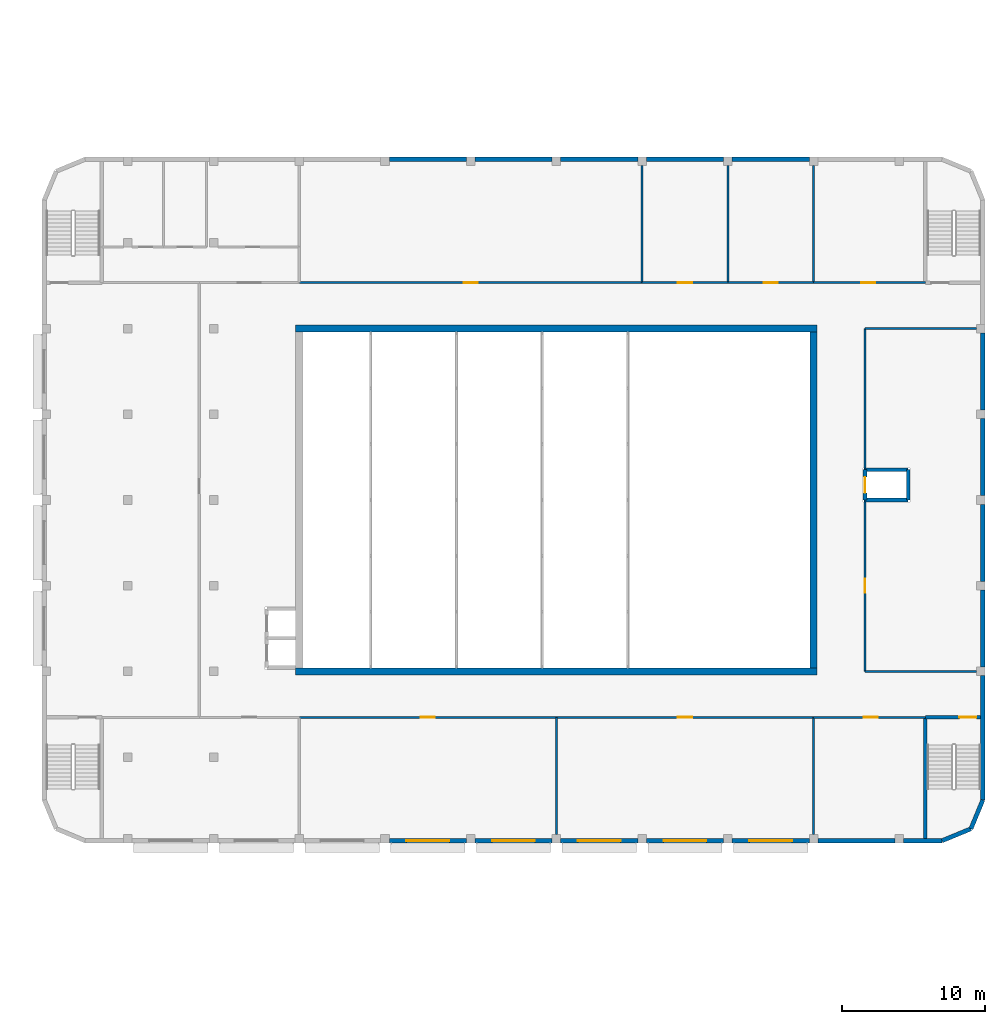
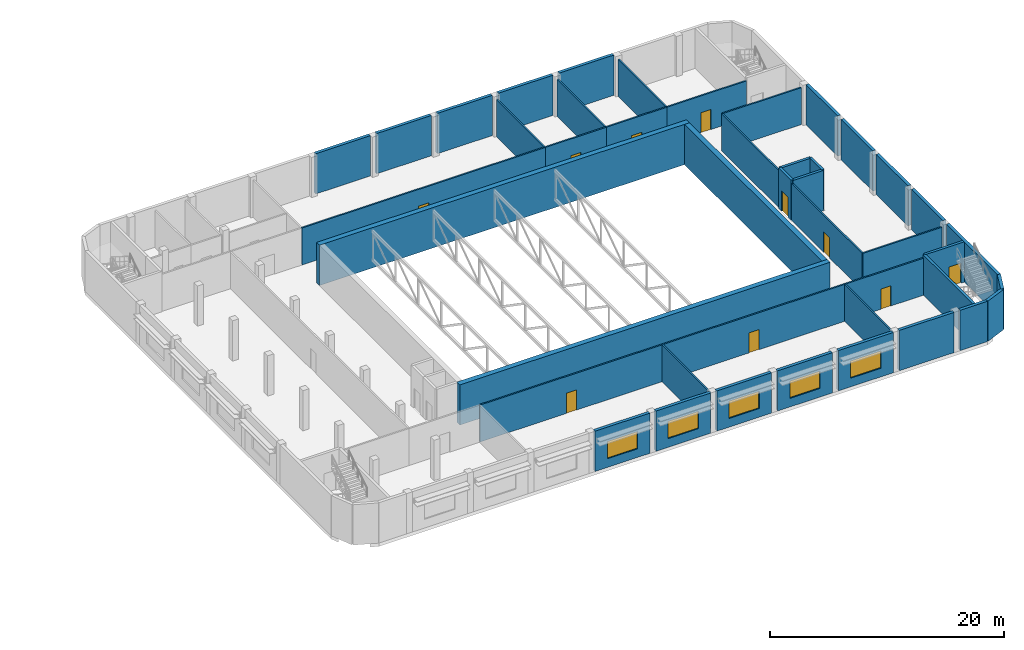
# One storey, part 29 of 47: 44 walls, 10 doors, 5 windows, 15 openings.
"""IFC4 building model written with IfcOpenShell, lengths in metres."""

from ifc_helpers import new_model, si_unit, direction, frame, frame_2d, origin, place, context, subcontext, project, spatial, rectangle, extrude, material, layer, layer_set, type_object, element, fill, save


model = new_model("IFC4")

# Units and contexts
model_context = context("Model", 3, precision=1e-05, world=origin(), true_north=direction((0.0, 1.0)))
body_context = subcontext(model_context, "Body", "Model", "MODEL_VIEW")
ifc_project = project(units=[si_unit("LENGTHUNIT", "METRE"), si_unit("AREAUNIT", "SQUARE_METRE"), si_unit("VOLUMEUNIT", "CUBIC_METRE"), si_unit("PLANEANGLEUNIT", "RADIAN"), si_unit("MASSUNIT", "GRAM", prefix="KILO")], contexts=[model_context])

# Site, building, storey
site_placement = place(None, origin())
site = spatial("IfcSite", under=ifc_project, at=site_placement, CompositionType="ELEMENT")
building_placement = place(site_placement, origin())
building = spatial("IfcBuilding", under=site, at=building_placement, Name="Nakaniwa Court", CompositionType="ELEMENT")
storey_placement = place(building_placement, frame((0.0, 0.0, 15.60009765625)))
storey = spatial("IfcBuildingStorey", under=building, at=storey_placement, Name="L03", CompositionType="ELEMENT", Elevation=15.60009765625)

# Walls
ifc_material_1 = material(Name="Concrete C50/60", Category="concrete")
ifc_layer_1 = layer(ifc_material_1, 0.5)
ifc_layer_set_1 = layer_set([ifc_layer_1], Name="Concrete C50/60")
wall_type_1 = type_object("IfcWallType", Name="Auditorium acoustic mass wall RC 500", PredefinedType="SHEAR", material=ifc_layer_set_1)
for number, where, z_axis, x_axis, name in (
    (1, (206.25, 68.0, 0.0), (0.0, 0.0, 1.0), (-1.0, 0.0, 0.0), "Auditorium south wall L03"),
    (2, (169.75, 92.0, 0.0), (0.0, 0.0, 1.0), (1.0, 0.0, 0.0), "Auditorium north wall L03"),
):
    element("IfcWall", number, at=place(storey_placement, frame(where, z_axis=z_axis, x_axis=x_axis)), inside=storey, type_object=wall_type_1, Name=name, PredefinedType="SHEAR", context=body_context, shape_type="SweptSolid", body=[
        extrude(rectangle(XDim=36.5, YDim=0.5, at=frame_2d((18.25, 0.0))), origin(), (0.0, 0.0, 1.0), 4.199951171875),
    ])
wall_1_placement = place(storey_placement, frame((206.0, 91.75, 0.0), z_axis=(0.0, 0.0, 1.0), x_axis=(0.0, -1.0, 0.0)))
element("IfcWall", 3, at=wall_1_placement, inside=storey, type_object=wall_type_1, Name="Auditorium east wall L03", PredefinedType="SHEAR", context=body_context, shape_type="SweptSolid", body=[
    extrude(rectangle(XDim=23.5, YDim=0.5, at=frame_2d((11.75, 0.0))), origin(), (0.0, 0.0, 1.0), 4.199951171875),
])
ifc_layer_2 = layer(ifc_material_1, 0.300048828125)
ifc_layer_set_2 = layer_set([ifc_layer_2], Name="Concrete C50/60")
wall_type_2 = type_object("IfcWallType", Name="Fair faced concrete wall 300", PredefinedType="SOLIDWALL", material=ifc_layer_set_2)
for number, where, z_axis, x_axis, name in (
    (4, (176.300048828125, 103.85009765625, 0.0), (0.0, 0.0, 1.0), (1.0, 0.0, 0.0), "Facade wall L03 15"),
    (5, (182.300048828125, 103.85009765625, 0.0), (0.0, 0.0, 1.0), (1.0, 0.0, 0.0), "Facade wall L03 16"),
    (6, (188.300048828125, 103.85009765625, 0.0), (0.0, 0.0, 1.0), (1.0, 0.0, 0.0), "Facade wall L03 17"),
    (7, (194.300048828125, 103.85009765625, 0.0), (0.0, 0.0, 1.0), (1.0, 0.0, 0.0), "Facade wall L03 18"),
    (8, (200.300048828125, 103.85009765625, 0.0), (0.0, 0.0, 1.0), (1.0, 0.0, 0.0), "Facade wall L03 19"),
    (9, (217.85009765625, 91.699951171875, 0.0), (0.0, 0.0, 1.0), (0.0, -1.0, 0.0), "Facade wall L03 25"),
    (10, (217.85009765625, 85.699951171875, 0.0), (0.0, 0.0, 1.0), (0.0, -1.0, 0.0), "Facade wall L03 26"),
    (11, (217.85009765625, 79.699951171875, 0.0), (0.0, 0.0, 1.0), (0.0, -1.0, 0.0), "Facade wall L03 27"),
    (12, (217.85009765625, 73.699951171875, 0.0), (0.0, 0.0, 1.0), (0.0, -1.0, 0.0), "Facade wall L03 28"),
):
    element("IfcWall", number, at=place(storey_placement, frame(where, z_axis=z_axis, x_axis=x_axis)), inside=storey, type_object=wall_type_2, Name=name, PredefinedType="SOLIDWALL", context=body_context, shape_type="SweptSolid", body=[
        extrude(rectangle(XDim=5.39990234375, YDim=0.300048828125, at=frame_2d((2.699951171875, 0.0))), origin(), (0.0, 0.0, 1.0), 4.199951171875),
    ])
wall_2_placement = place(storey_placement, frame((217.85009765625, 67.699951171875, 0.0), z_axis=(0.0, 0.0, 1.0), x_axis=(0.0, -1.0, 0.0)))
element("IfcWall", 13, at=wall_2_placement, inside=storey, type_object=wall_type_2, Name="Facade wall L03 29", PredefinedType="SOLIDWALL", context=body_context, shape_type="SweptSolid", body=[
    extrude(rectangle(XDim=8.699951171875, YDim=0.300048828125, at=frame_2d((4.35009765625, 0.0))), origin(), (0.0, 0.0, 1.0), 4.199951171875),
])
for number, where, z_axis, x_axis, name in (
    (14, (217.85009765625, 59.0, 0.0), (0.0, 0.0, 1.0), (-0.382651625058, -0.923892706888, 0.0), "Facade wall L03 30"),
    (15, (217.015380859375, 56.984619140625, 0.0), (0.0, 0.0, 1.0), (-0.923892706888, -0.382651625058, 0.0), "Facade wall L03 31"),
):
    element("IfcWall", number, at=place(storey_placement, frame(where, z_axis=z_axis, x_axis=x_axis)), inside=storey, type_object=wall_type_2, Name=name, PredefinedType="SOLIDWALL", context=body_context, shape_type="SweptSolid", body=[
        extrude(rectangle(XDim=2.181396484375, YDim=0.300048828125, at=frame_2d((1.0908203125, 0.0))), origin(), (0.0, 0.0, 1.0), 4.199951171875),
    ])
wall_3_placement = place(storey_placement, frame((215.0, 56.14990234375, 0.0), z_axis=(0.0, 0.0, 1.0), x_axis=(-1.0, 0.0, 0.0)))
element("IfcWall", 16, at=wall_3_placement, inside=storey, type_object=wall_type_2, Name="Facade wall L03 32", PredefinedType="SOLIDWALL", context=body_context, shape_type="SweptSolid", body=[
    extrude(rectangle(XDim=2.699951171875, YDim=0.300048828125, at=frame_2d((1.35009765625, 0.0))), origin(), (0.0, 0.0, 1.0), 4.199951171875),
])
wall_4_placement = place(storey_placement, frame((211.699951171875, 56.14990234375, 0.0), z_axis=(0.0, 0.0, 1.0), x_axis=(-1.0, 0.0, 0.0)))
element("IfcWall", 17, at=wall_4_placement, inside=storey, type_object=wall_type_2, Name="Facade wall L03 33", PredefinedType="SOLIDWALL", context=body_context, shape_type="SweptSolid", body=[
    extrude(rectangle(XDim=5.39990234375, YDim=0.300048828125, at=frame_2d((2.699951171875, 0.0))), origin(), (0.0, 0.0, 1.0), 4.199951171875),
])

# Wall, opening, window
wall_5_placement = place(storey_placement, frame((205.699951171875, 56.14990234375, 0.0), z_axis=(0.0, 0.0, 1.0), x_axis=(-1.0, 0.0, 0.0)))
wall_5 = element("IfcWall", 18, at=wall_5_placement, inside=storey, type_object=wall_type_2, Name="Facade wall L03 34", PredefinedType="SOLIDWALL", context=body_context, shape_type="SweptSolid", body=[
    extrude(rectangle(XDim=5.39990234375, YDim=0.300048828125, at=frame_2d((2.699951171875, 0.0))), origin(), (0.0, 0.0, 1.0), 4.199951171875),
])
opening_1_placement = place(wall_5_placement, frame((1.199951171875, 0.0, 0.89990234375)))
opening_1 = element("IfcOpeningElement", 19, at=opening_1_placement, cuts=wall_5, Name="Opening HWN-56", PredefinedType="OPENING", context=body_context, shape_type="SweptSolid", body=[
    extrude(rectangle(XDim=3.0, YDim=1.800048828125, at=frame_2d((1.5, 0.89990234375))), frame((0.0, 0.159912109375, 0.0), z_axis=(0.0, -1.0, 0.0), x_axis=(1.0, 0.0, 0.0)), (0.0, 0.0, 1.0), 0.320068359375),
])
ifc_material_2 = material(Name="Black powder-coated aluminium frame with dark glass", Category="aluminium")
window_type = type_object("IfcWindowType", Name="Hall window 3000x1800", PartitioningType="SINGLE_PANEL", PredefinedType="WINDOW", material=ifc_material_2)
window_1_placement = place(opening_1_placement, origin())
window_1 = element("IfcWindow", 20, at=window_1_placement, inside=storey, type_object=window_type, Name="Window L03:033", OverallHeight=1.800048828125, OverallWidth=3.0, PartitioningType="SINGLE_PANEL", PredefinedType="WINDOW", context=body_context, shape_type="SweptSolid", body=[
    extrude(rectangle(XDim=3.0, YDim=1.800048828125, at=frame_2d((1.5, 0.89990234375))), frame((0.0, 0.030029296875, 0.0), z_axis=(0.0, -1.0, 0.0), x_axis=(1.0, 0.0, 0.0)), (0.0, 0.0, 1.0), 0.06005859375),
])
fill(opening_1, window_1)

wall_6_placement = place(storey_placement, frame((199.699951171875, 56.14990234375, 0.0), z_axis=(0.0, 0.0, 1.0), x_axis=(-1.0, 0.0, 0.0)))
wall_6 = element("IfcWall", 21, at=wall_6_placement, inside=storey, type_object=wall_type_2, Name="Facade wall L03 35", PredefinedType="SOLIDWALL", context=body_context, shape_type="SweptSolid", body=[
    extrude(rectangle(XDim=5.39990234375, YDim=0.300048828125, at=frame_2d((2.699951171875, 0.0))), origin(), (0.0, 0.0, 1.0), 4.199951171875),
])
opening_2_placement = place(wall_6_placement, frame((1.199951171875, 0.0, 0.89990234375)))
opening_2 = element("IfcOpeningElement", 22, at=opening_2_placement, cuts=wall_6, Name="Opening HWN-57", PredefinedType="OPENING", context=body_context, shape_type="SweptSolid", body=[
    extrude(rectangle(XDim=3.0, YDim=1.800048828125, at=frame_2d((1.5, 0.89990234375))), frame((0.0, 0.159912109375, 0.0), z_axis=(0.0, -1.0, 0.0), x_axis=(1.0, 0.0, 0.0)), (0.0, 0.0, 1.0), 0.320068359375),
])
window_2_placement = place(opening_2_placement, origin())
window_2 = element("IfcWindow", 23, at=window_2_placement, inside=storey, type_object=window_type, Name="Window L03:034", OverallHeight=1.800048828125, OverallWidth=3.0, PartitioningType="SINGLE_PANEL", PredefinedType="WINDOW", context=body_context, shape_type="SweptSolid", body=[
    extrude(rectangle(XDim=3.0, YDim=1.800048828125, at=frame_2d((1.5, 0.89990234375))), frame((0.0, 0.030029296875, 0.0), z_axis=(0.0, -1.0, 0.0), x_axis=(1.0, 0.0, 0.0)), (0.0, 0.0, 1.0), 0.06005859375),
])
fill(opening_2, window_2)

wall_7_placement = place(storey_placement, frame((193.699951171875, 56.14990234375, 0.0), z_axis=(0.0, 0.0, 1.0), x_axis=(-1.0, 0.0, 0.0)))
wall_7 = element("IfcWall", 24, at=wall_7_placement, inside=storey, type_object=wall_type_2, Name="Facade wall L03 36", PredefinedType="SOLIDWALL", context=body_context, shape_type="SweptSolid", body=[
    extrude(rectangle(XDim=5.39990234375, YDim=0.300048828125, at=frame_2d((2.699951171875, 0.0))), origin(), (0.0, 0.0, 1.0), 4.199951171875),
])
opening_3_placement = place(wall_7_placement, frame((1.199951171875, 0.0, 0.89990234375)))
opening_3 = element("IfcOpeningElement", 25, at=opening_3_placement, cuts=wall_7, Name="Opening HWN-58", PredefinedType="OPENING", context=body_context, shape_type="SweptSolid", body=[
    extrude(rectangle(XDim=3.0, YDim=1.800048828125, at=frame_2d((1.5, 0.89990234375))), frame((0.0, 0.159912109375, 0.0), z_axis=(0.0, -1.0, 0.0), x_axis=(1.0, 0.0, 0.0)), (0.0, 0.0, 1.0), 0.320068359375),
])
window_3_placement = place(opening_3_placement, origin())
window_3 = element("IfcWindow", 26, at=window_3_placement, inside=storey, type_object=window_type, Name="Window L03:035", OverallHeight=1.800048828125, OverallWidth=3.0, PartitioningType="SINGLE_PANEL", PredefinedType="WINDOW", context=body_context, shape_type="SweptSolid", body=[
    extrude(rectangle(XDim=3.0, YDim=1.800048828125, at=frame_2d((1.5, 0.89990234375))), frame((0.0, 0.030029296875, 0.0), z_axis=(0.0, -1.0, 0.0), x_axis=(1.0, 0.0, 0.0)), (0.0, 0.0, 1.0), 0.06005859375),
])
fill(opening_3, window_3)

wall_8_placement = place(storey_placement, frame((187.699951171875, 56.14990234375, 0.0), z_axis=(0.0, 0.0, 1.0), x_axis=(-1.0, 0.0, 0.0)))
wall_8 = element("IfcWall", 27, at=wall_8_placement, inside=storey, type_object=wall_type_2, Name="Facade wall L03 37", PredefinedType="SOLIDWALL", context=body_context, shape_type="SweptSolid", body=[
    extrude(rectangle(XDim=5.39990234375, YDim=0.300048828125, at=frame_2d((2.699951171875, 0.0))), origin(), (0.0, 0.0, 1.0), 4.199951171875),
])
opening_4_placement = place(wall_8_placement, frame((1.199951171875, 0.0, 0.89990234375)))
opening_4 = element("IfcOpeningElement", 28, at=opening_4_placement, cuts=wall_8, Name="Opening HWN-59", PredefinedType="OPENING", context=body_context, shape_type="SweptSolid", body=[
    extrude(rectangle(XDim=3.0, YDim=1.800048828125, at=frame_2d((1.5, 0.89990234375))), frame((0.0, 0.159912109375, 0.0), z_axis=(0.0, -1.0, 0.0), x_axis=(1.0, 0.0, 0.0)), (0.0, 0.0, 1.0), 0.320068359375),
])
window_4_placement = place(opening_4_placement, origin())
window_4 = element("IfcWindow", 29, at=window_4_placement, inside=storey, type_object=window_type, Name="Window L03:036", OverallHeight=1.800048828125, OverallWidth=3.0, PartitioningType="SINGLE_PANEL", PredefinedType="WINDOW", context=body_context, shape_type="SweptSolid", body=[
    extrude(rectangle(XDim=3.0, YDim=1.800048828125, at=frame_2d((1.5, 0.89990234375))), frame((0.0, 0.030029296875, 0.0), z_axis=(0.0, -1.0, 0.0), x_axis=(1.0, 0.0, 0.0)), (0.0, 0.0, 1.0), 0.06005859375),
])
fill(opening_4, window_4)

wall_9_placement = place(storey_placement, frame((181.699951171875, 56.14990234375, 0.0), z_axis=(0.0, 0.0, 1.0), x_axis=(-1.0, 0.0, 0.0)))
wall_9 = element("IfcWall", 30, at=wall_9_placement, inside=storey, type_object=wall_type_2, Name="Facade wall L03 38", PredefinedType="SOLIDWALL", context=body_context, shape_type="SweptSolid", body=[
    extrude(rectangle(XDim=5.39990234375, YDim=0.300048828125, at=frame_2d((2.699951171875, 0.0))), origin(), (0.0, 0.0, 1.0), 4.199951171875),
])
opening_5_placement = place(wall_9_placement, frame((1.199951171875, 0.0, 0.89990234375)))
opening_5 = element("IfcOpeningElement", 31, at=opening_5_placement, cuts=wall_9, Name="Opening HWN-60", PredefinedType="OPENING", context=body_context, shape_type="SweptSolid", body=[
    extrude(rectangle(XDim=3.0, YDim=1.800048828125, at=frame_2d((1.5, 0.89990234375))), frame((0.0, 0.159912109375, 0.0), z_axis=(0.0, -1.0, 0.0), x_axis=(1.0, 0.0, 0.0)), (0.0, 0.0, 1.0), 0.320068359375),
])
window_5_placement = place(opening_5_placement, origin())
window_5 = element("IfcWindow", 32, at=window_5_placement, inside=storey, type_object=window_type, Name="Window L03:037", OverallHeight=1.800048828125, OverallWidth=3.0, PartitioningType="SINGLE_PANEL", PredefinedType="WINDOW", context=body_context, shape_type="SweptSolid", body=[
    extrude(rectangle(XDim=3.0, YDim=1.800048828125, at=frame_2d((1.5, 0.89990234375))), frame((0.0, 0.030029296875, 0.0), z_axis=(0.0, -1.0, 0.0), x_axis=(1.0, 0.0, 0.0)), (0.0, 0.0, 1.0), 0.06005859375),
])
fill(opening_5, window_5)

# Walls
ifc_material_3 = material(Name="Concrete C40/50", Category="concrete")
ifc_layer_3 = layer(ifc_material_3, 0.25)
ifc_layer_set_3 = layer_set([ifc_layer_3], Name="Concrete C40/50")
wall_type_3 = type_object("IfcWallType", Name="Fire isolated shaft wall RC 250", PredefinedType="SOLIDWALL", material=ifc_layer_set_3)
wall_10_placement = place(storey_placement, frame((209.60009765625, 80.0, 0.0), z_axis=(0.0, 0.0, 1.0), x_axis=(1.0, 0.0, 0.0)))
element("IfcWall", 33, at=wall_10_placement, inside=storey, type_object=wall_type_3, Name="L03 shaft wall 37", PredefinedType="SOLIDWALL", context=body_context, shape_type="SweptSolid", body=[
    extrude(rectangle(XDim=3.02490234375, YDim=0.25, at=frame_2d((1.512451171875, 0.0))), origin(), (0.0, 0.0, 1.0), 4.199951171875),
])
wall_11_placement = place(storey_placement, frame((212.625, 80.0, 0.0), z_axis=(0.0, 0.0, 1.0), x_axis=(0.0, 1.0, 0.0)))
element("IfcWall", 34, at=wall_11_placement, inside=storey, type_object=wall_type_3, Name="L03 shaft wall 38", PredefinedType="SOLIDWALL", context=body_context, shape_type="SweptSolid", body=[
    extrude(rectangle(XDim=2.125, YDim=0.25, at=frame_2d((1.0625, 0.0))), origin(), (0.0, 0.0, 1.0), 4.199951171875),
])
wall_12_placement = place(storey_placement, frame((212.625, 82.125, 0.0), z_axis=(0.0, 0.0, 1.0), x_axis=(-1.0, 0.0, 0.0)))
element("IfcWall", 35, at=wall_12_placement, inside=storey, type_object=wall_type_3, Name="L03 shaft wall 39", PredefinedType="SOLIDWALL", context=body_context, shape_type="SweptSolid", body=[
    extrude(rectangle(XDim=3.02490234375, YDim=0.25, at=frame_2d((1.512451171875, 0.0))), origin(), (0.0, 0.0, 1.0), 4.199951171875),
])

# Wall, opening, door
wall_13_placement = place(storey_placement, frame((209.60009765625, 82.125, 0.0), z_axis=(0.0, 0.0, 1.0), x_axis=(0.0, -1.0, 0.0)))
wall_13 = element("IfcWall", 36, at=wall_13_placement, inside=storey, type_object=wall_type_3, Name="L03 shaft wall 40", PredefinedType="SOLIDWALL", context=body_context, shape_type="SweptSolid", body=[
    extrude(rectangle(XDim=2.125, YDim=0.25, at=frame_2d((1.0625, 0.0))), origin(), (0.0, 0.0, 1.0), 4.199951171875),
])
opening_6_placement = place(wall_13_placement, frame((0.52490234375, 0.0, 0.0)))
opening_6 = element("IfcOpeningElement", 37, at=opening_6_placement, cuts=wall_13, Name="Opening LD-03", PredefinedType="OPENING", context=body_context, shape_type="SweptSolid", body=[
    extrude(rectangle(XDim=1.10009765625, YDim=2.10009765625, at=frame_2d((0.550048828125, 1.050048828125))), frame((0.0, 0.135009765625, 0.0), z_axis=(0.0, -1.0, 0.0), x_axis=(1.0, 0.0, 0.0)), (0.0, 0.0, 1.0), 0.27001953125),
])
ifc_material_4 = material(Name="Brushed stainless steel sliding landing door", Category="steel")
door_type_1 = type_object("IfcDoorType", Name="Hall lift landing door 1100x2100", OperationType="SLIDING_TO_LEFT", PredefinedType="DOOR", material=ifc_material_4)
door_1_placement = place(opening_6_placement, origin())
door_1 = element("IfcDoor", 38, at=door_1_placement, inside=storey, type_object=door_type_1, Name="L03 lift landing door HL3", OperationType="SLIDING_TO_LEFT", OverallHeight=2.10009765625, OverallWidth=1.10009765625, PredefinedType="DOOR", context=body_context, shape_type="SweptSolid", body=[
    extrude(rectangle(XDim=1.10009765625, YDim=2.10009765625, at=frame_2d((0.550048828125, 1.050048828125))), frame((0.0, 0.02490234375, 0.0), z_axis=(0.0, -1.0, 0.0), x_axis=(1.0, 0.0, 0.0)), (0.0, 0.0, 1.0), 0.050048828125),
])
fill(opening_6, door_1)

# Wall
wall_14_placement = place(storey_placement, frame((213.824951171875, 56.300048828125, 0.0), z_axis=(0.0, 0.0, 1.0), x_axis=(0.0, 1.0, 0.0)))
element("IfcWall", 39, at=wall_14_placement, inside=storey, type_object=wall_type_3, Name="L03 shaft wall 45", PredefinedType="SOLIDWALL", context=body_context, shape_type="SweptSolid", body=[
    extrude(rectangle(XDim=8.48486328125, YDim=0.25, at=frame_2d((4.242431640625, 0.0))), origin(), (0.0, 0.0, 1.0), 4.199951171875),
])

# Wall, opening, door
wall_15_placement = place(storey_placement, frame((217.699951171875, 64.784912109375, 0.0), z_axis=(0.0, 0.0, 1.0), x_axis=(-1.0, 0.0, 0.0)))
wall_15 = element("IfcWall", 40, at=wall_15_placement, inside=storey, type_object=wall_type_3, Name="L03 shaft wall 46", PredefinedType="SOLIDWALL", context=body_context, shape_type="SweptSolid", body=[
    extrude(rectangle(XDim=3.875, YDim=0.25, at=frame_2d((1.9375, 0.0))), origin(), (0.0, 0.0, 1.0), 4.199951171875),
])
opening_7_placement = place(wall_15_placement, frame((0.300048828125, 0.0, 0.0)))
opening_7 = element("IfcOpeningElement", 41, at=opening_7_placement, cuts=wall_15, Name="Opening HD-126", PredefinedType="OPENING", context=body_context, shape_type="SweptSolid", body=[
    extrude(rectangle(XDim=1.199951171875, YDim=2.10009765625, at=frame_2d((0.60009765625, 1.050048828125))), frame((0.0, 0.135009765625, 0.0), z_axis=(0.0, -1.0, 0.0), x_axis=(1.0, 0.0, 0.0)), (0.0, 0.0, 1.0), 0.27001953125),
])
ifc_material_5 = material(Name="Insulated steel door leaf in steel frame", Category="steel")
door_type_2 = type_object("IfcDoorType", Name="Hall stair door 1200x2100", OperationType="SINGLE_SWING_LEFT", PredefinedType="DOOR", material=ifc_material_5)
door_2_placement = place(opening_7_placement, origin())
door_2 = element("IfcDoor", 42, at=door_2_placement, inside=storey, type_object=door_type_2, Name="L03 door Exit-stair-H3", OperationType="SINGLE_SWING_LEFT", OverallHeight=2.10009765625, OverallWidth=1.199951171875, PredefinedType="DOOR", context=body_context, shape_type="SweptSolid", body=[
    extrude(rectangle(XDim=1.199951171875, YDim=2.10009765625, at=frame_2d((0.60009765625, 1.050048828125))), frame((0.0, 0.02490234375, 0.0), z_axis=(0.0, -1.0, 0.0), x_axis=(1.0, 0.0, 0.0)), (0.0, 0.0, 1.0), 0.050048828125),
])
fill(opening_7, door_2)

ifc_material_6 = material(Name="Steel stud plasterboard partition", Category="steel")
ifc_layer_4 = layer(ifc_material_6, 0.14990234375)
ifc_layer_set_4 = layer_set([ifc_layer_4], Name="Steel stud plasterboard partition")
wall_type_4 = type_object("IfcWallType", Name="Partition 150", PredefinedType="PARTITIONING", material=ifc_layer_set_4)
wall_16_placement = place(storey_placement, frame((188.0, 64.784912109375, 0.0), z_axis=(0.0, 0.0, 1.0), x_axis=(-1.0, 0.0, 0.0)))
wall_16 = element("IfcWall", 43, at=wall_16_placement, inside=storey, type_object=wall_type_4, Name="L03 partition wall 23", PredefinedType="PARTITIONING", context=body_context, shape_type="SweptSolid", body=[
    extrude(rectangle(XDim=18.0, YDim=0.14990234375, at=frame_2d((9.0, 0.0))), origin(), (0.0, 0.0, 1.0), 3.849853515625),
])
opening_8_placement = place(wall_16_placement, frame((8.5, 0.0, 0.0)))
opening_8 = element("IfcOpeningElement", 44, at=opening_8_placement, cuts=wall_16, Name="Opening HD-118", PredefinedType="OPENING", context=body_context, shape_type="SweptSolid", body=[
    extrude(rectangle(XDim=1.0, YDim=2.10009765625, at=frame_2d((0.5, 1.050048828125))), frame((0.0, 0.0849609375, 0.0), z_axis=(0.0, -1.0, 0.0), x_axis=(1.0, 0.0, 0.0)), (0.0, 0.0, 1.0), 0.169921875),
])
ifc_material_7 = material(Name="Solid-core timber door leaf in steel frame", Category="steel")
door_type_3 = type_object("IfcDoorType", Name="Hall door 1000x2100", OperationType="SINGLE_SWING_LEFT", PredefinedType="DOOR", material=ifc_material_7)
door_3_placement = place(opening_8_placement, origin())
door_3 = element("IfcDoor", 45, at=door_3_placement, inside=storey, type_object=door_type_3, Name="L03 door Administration-office", OperationType="SINGLE_SWING_LEFT", OverallHeight=2.10009765625, OverallWidth=1.0, PredefinedType="DOOR", context=body_context, shape_type="SweptSolid", body=[
    extrude(rectangle(XDim=1.0, YDim=2.10009765625, at=frame_2d((0.5, 1.050048828125))), frame((0.0, 0.02490234375, 0.0), z_axis=(0.0, -1.0, 0.0), x_axis=(1.0, 0.0, 0.0)), (0.0, 0.0, 1.0), 0.050048828125),
])
fill(opening_8, door_3)

wall_17_placement = place(storey_placement, frame((170.0, 95.215087890625, 0.0), z_axis=(0.0, 0.0, 1.0), x_axis=(1.0, 0.0, 0.0)))
wall_17 = element("IfcWall", 46, at=wall_17_placement, inside=storey, type_object=wall_type_4, Name="L03 partition wall 24", PredefinedType="PARTITIONING", context=body_context, shape_type="SweptSolid", body=[
    extrude(rectangle(XDim=24.0, YDim=0.14990234375, at=frame_2d((12.0, 0.0))), origin(), (0.0, 0.0, 1.0), 3.849853515625),
])
opening_9_placement = place(wall_17_placement, frame((11.5, 0.0, 0.0)))
opening_9 = element("IfcOpeningElement", 47, at=opening_9_placement, cuts=wall_17, Name="Opening HD-119", PredefinedType="OPENING", context=body_context, shape_type="SweptSolid", body=[
    extrude(rectangle(XDim=1.0, YDim=2.10009765625, at=frame_2d((0.5, 1.050048828125))), frame((0.0, 0.0849609375, 0.0), z_axis=(0.0, -1.0, 0.0), x_axis=(1.0, 0.0, 0.0)), (0.0, 0.0, 1.0), 0.169921875),
])
door_4_placement = place(opening_9_placement, origin())
door_4 = element("IfcDoor", 48, at=door_4_placement, inside=storey, type_object=door_type_3, Name="L03 door Air-handling-plant", OperationType="SINGLE_SWING_RIGHT", OverallHeight=2.10009765625, OverallWidth=1.0, PredefinedType="DOOR", context=body_context, shape_type="SweptSolid", body=[
    extrude(rectangle(XDim=1.0, YDim=2.10009765625, at=frame_2d((0.5, 1.050048828125))), frame((0.0, 0.02490234375, 0.0), z_axis=(0.0, -1.0, 0.0), x_axis=(1.0, 0.0, 0.0)), (0.0, 0.0, 1.0), 0.050048828125),
])
fill(opening_9, door_4)

# Wall
wall_18_placement = place(storey_placement, frame((188.0, 64.784912109375, 0.0), z_axis=(0.0, 0.0, 1.0), x_axis=(0.0, -1.0, 0.0)))
element("IfcWall", 49, at=wall_18_placement, inside=storey, type_object=wall_type_4, Name="L03 partition wall 27", PredefinedType="PARTITIONING", context=body_context, shape_type="SweptSolid", body=[
    extrude(rectangle(XDim=8.184814453125, YDim=0.14990234375, at=frame_2d((4.09228515625, 0.0))), origin(), (0.0, 0.0, 1.0), 3.849853515625),
])

# Wall, opening, door
wall_19_placement = place(storey_placement, frame((206.0, 64.784912109375, 0.0), z_axis=(0.0, 0.0, 1.0), x_axis=(-1.0, 0.0, 0.0)))
wall_19 = element("IfcWall", 50, at=wall_19_placement, inside=storey, type_object=wall_type_4, Name="L03 partition wall 28", PredefinedType="PARTITIONING", context=body_context, shape_type="SweptSolid", body=[
    extrude(rectangle(XDim=18.0, YDim=0.14990234375, at=frame_2d((9.0, 0.0))), origin(), (0.0, 0.0, 1.0), 3.849853515625),
])
opening_10_placement = place(wall_19_placement, frame((8.5, 0.0, 0.0)))
opening_10 = element("IfcOpeningElement", 51, at=opening_10_placement, cuts=wall_19, Name="Opening HD-120", PredefinedType="OPENING", context=body_context, shape_type="SweptSolid", body=[
    extrude(rectangle(XDim=1.0, YDim=2.10009765625, at=frame_2d((0.5, 1.050048828125))), frame((0.0, 0.0849609375, 0.0), z_axis=(0.0, -1.0, 0.0), x_axis=(1.0, 0.0, 0.0)), (0.0, 0.0, 1.0), 0.169921875),
])
door_5_placement = place(opening_10_placement, origin())
door_5 = element("IfcDoor", 52, at=door_5_placement, inside=storey, type_object=door_type_3, Name="L03 door Meeting-room", OperationType="SINGLE_SWING_RIGHT", OverallHeight=2.10009765625, OverallWidth=1.0, PredefinedType="DOOR", context=body_context, shape_type="SweptSolid", body=[
    extrude(rectangle(XDim=1.0, YDim=2.10009765625, at=frame_2d((0.5, 1.050048828125))), frame((0.0, 0.02490234375, 0.0), z_axis=(0.0, -1.0, 0.0), x_axis=(1.0, 0.0, 0.0)), (0.0, 0.0, 1.0), 0.050048828125),
])
fill(opening_10, door_5)

wall_20_placement = place(storey_placement, frame((194.0, 95.215087890625, 0.0), z_axis=(0.0, 0.0, 1.0), x_axis=(1.0, 0.0, 0.0)))
wall_20 = element("IfcWall", 53, at=wall_20_placement, inside=storey, type_object=wall_type_4, Name="L03 partition wall 29", PredefinedType="PARTITIONING", context=body_context, shape_type="SweptSolid", body=[
    extrude(rectangle(XDim=6.0, YDim=0.14990234375, at=frame_2d((3.0, 0.0))), origin(), (0.0, 0.0, 1.0), 3.849853515625),
])
opening_11_placement = place(wall_20_placement, frame((2.5, 0.0, 0.0)))
opening_11 = element("IfcOpeningElement", 54, at=opening_11_placement, cuts=wall_20, Name="Opening HD-121", PredefinedType="OPENING", context=body_context, shape_type="SweptSolid", body=[
    extrude(rectangle(XDim=1.0, YDim=2.10009765625, at=frame_2d((0.5, 1.050048828125))), frame((0.0, 0.0849609375, 0.0), z_axis=(0.0, -1.0, 0.0), x_axis=(1.0, 0.0, 0.0)), (0.0, 0.0, 1.0), 0.169921875),
])
door_6_placement = place(opening_11_placement, origin())
door_6 = element("IfcDoor", 55, at=door_6_placement, inside=storey, type_object=door_type_3, Name="L03 door Electrical-switch-room", OperationType="SINGLE_SWING_LEFT", OverallHeight=2.10009765625, OverallWidth=1.0, PredefinedType="DOOR", context=body_context, shape_type="SweptSolid", body=[
    extrude(rectangle(XDim=1.0, YDim=2.10009765625, at=frame_2d((0.5, 1.050048828125))), frame((0.0, 0.02490234375, 0.0), z_axis=(0.0, -1.0, 0.0), x_axis=(1.0, 0.0, 0.0)), (0.0, 0.0, 1.0), 0.050048828125),
])
fill(opening_11, door_6)

# Wall
wall_21_placement = place(storey_placement, frame((194.0, 103.39990234375, 0.0), z_axis=(0.0, 0.0, 1.0), x_axis=(0.0, -1.0, 0.0)))
element("IfcWall", 56, at=wall_21_placement, inside=storey, type_object=wall_type_4, Name="L03 partition wall 30", PredefinedType="PARTITIONING", context=body_context, shape_type="SweptSolid", body=[
    extrude(rectangle(XDim=8.184814453125, YDim=0.14990234375, at=frame_2d((4.09228515625, 0.0))), origin(), (0.0, 0.0, 1.0), 3.849853515625),
])

# Wall, opening, door
wall_22_placement = place(storey_placement, frame((200.0, 95.215087890625, 0.0), z_axis=(0.0, 0.0, 1.0), x_axis=(1.0, 0.0, 0.0)))
wall_22 = element("IfcWall", 57, at=wall_22_placement, inside=storey, type_object=wall_type_4, Name="L03 partition wall 31", PredefinedType="PARTITIONING", context=body_context, shape_type="SweptSolid", body=[
    extrude(rectangle(XDim=6.0, YDim=0.14990234375, at=frame_2d((3.0, 0.0))), origin(), (0.0, 0.0, 1.0), 3.849853515625),
])
opening_12_placement = place(wall_22_placement, frame((2.5, 0.0, 0.0)))
opening_12 = element("IfcOpeningElement", 58, at=opening_12_placement, cuts=wall_22, Name="Opening HD-122", PredefinedType="OPENING", context=body_context, shape_type="SweptSolid", body=[
    extrude(rectangle(XDim=1.0, YDim=2.10009765625, at=frame_2d((0.5, 1.050048828125))), frame((0.0, 0.0849609375, 0.0), z_axis=(0.0, -1.0, 0.0), x_axis=(1.0, 0.0, 0.0)), (0.0, 0.0, 1.0), 0.169921875),
])
door_7_placement = place(opening_12_placement, origin())
door_7 = element("IfcDoor", 59, at=door_7_placement, inside=storey, type_object=door_type_3, Name="L03 door Communications-room", OperationType="SINGLE_SWING_RIGHT", OverallHeight=2.10009765625, OverallWidth=1.0, PredefinedType="DOOR", context=body_context, shape_type="SweptSolid", body=[
    extrude(rectangle(XDim=1.0, YDim=2.10009765625, at=frame_2d((0.5, 1.050048828125))), frame((0.0, 0.02490234375, 0.0), z_axis=(0.0, -1.0, 0.0), x_axis=(1.0, 0.0, 0.0)), (0.0, 0.0, 1.0), 0.050048828125),
])
fill(opening_12, door_7)

# Walls
for number, where, z_axis, x_axis, name in (
    (60, (200.0, 103.39990234375, 0.0), (0.0, 0.0, 1.0), (0.0, -1.0, 0.0), "L03 partition wall 32"),
    (61, (206.0, 64.784912109375, 0.0), (0.0, 0.0, 1.0), (0.0, -1.0, 0.0), "L03 partition wall 33"),
):
    element("IfcWall", number, at=place(storey_placement, frame(where, z_axis=z_axis, x_axis=x_axis)), inside=storey, type_object=wall_type_4, Name=name, PredefinedType="PARTITIONING", context=body_context, shape_type="SweptSolid", body=[
        extrude(rectangle(XDim=8.184814453125, YDim=0.14990234375, at=frame_2d((4.09228515625, 0.0))), origin(), (0.0, 0.0, 1.0), 3.849853515625),
    ])

# Wall, opening, door
wall_23_placement = place(storey_placement, frame((213.824951171875, 64.784912109375, 0.0), z_axis=(0.0, 0.0, 1.0), x_axis=(-1.0, 0.0, 0.0)))
wall_23 = element("IfcWall", 62, at=wall_23_placement, inside=storey, type_object=wall_type_4, Name="L03 partition wall 34", PredefinedType="PARTITIONING", context=body_context, shape_type="SweptSolid", body=[
    extrude(rectangle(XDim=7.824951171875, YDim=0.14990234375, at=frame_2d((3.91259765625, 0.0))), origin(), (0.0, 0.0, 1.0), 3.849853515625),
])
opening_13_placement = place(wall_23_placement, frame((3.324951171875, 0.0, 0.0)))
opening_13 = element("IfcOpeningElement", 63, at=opening_13_placement, cuts=wall_23, Name="Opening HD-123", PredefinedType="OPENING", context=body_context, shape_type="SweptSolid", body=[
    extrude(rectangle(XDim=1.0, YDim=2.10009765625, at=frame_2d((0.5, 1.050048828125))), frame((0.0, 0.0849609375, 0.0), z_axis=(0.0, -1.0, 0.0), x_axis=(1.0, 0.0, 0.0)), (0.0, 0.0, 1.0), 0.169921875),
])
door_8_placement = place(opening_13_placement, origin())
door_8 = element("IfcDoor", 64, at=door_8_placement, inside=storey, type_object=door_type_3, Name="L03 door Archive-and-records-room", OperationType="SINGLE_SWING_LEFT", OverallHeight=2.10009765625, OverallWidth=1.0, PredefinedType="DOOR", context=body_context, shape_type="SweptSolid", body=[
    extrude(rectangle(XDim=1.0, YDim=2.10009765625, at=frame_2d((0.5, 1.050048828125))), frame((0.0, 0.02490234375, 0.0), z_axis=(0.0, -1.0, 0.0), x_axis=(1.0, 0.0, 0.0)), (0.0, 0.0, 1.0), 0.050048828125),
])
fill(opening_13, door_8)

wall_24_placement = place(storey_placement, frame((206.0, 95.215087890625, 0.0), z_axis=(0.0, 0.0, 1.0), x_axis=(1.0, 0.0, 0.0)))
wall_24 = element("IfcWall", 65, at=wall_24_placement, inside=storey, type_object=wall_type_4, Name="L03 partition wall 35", PredefinedType="PARTITIONING", context=body_context, shape_type="SweptSolid", body=[
    extrude(rectangle(XDim=7.824951171875, YDim=0.14990234375, at=frame_2d((3.91259765625, 0.0))), origin(), (0.0, 0.0, 1.0), 3.849853515625),
])
opening_14_placement = place(wall_24_placement, frame((3.324951171875, 0.0, 0.0)))
opening_14 = element("IfcOpeningElement", 66, at=opening_14_placement, cuts=wall_24, Name="Opening HD-124", PredefinedType="OPENING", context=body_context, shape_type="SweptSolid", body=[
    extrude(rectangle(XDim=1.0, YDim=2.10009765625, at=frame_2d((0.5, 1.050048828125))), frame((0.0, 0.0849609375, 0.0), z_axis=(0.0, -1.0, 0.0), x_axis=(1.0, 0.0, 0.0)), (0.0, 0.0, 1.0), 0.169921875),
])
door_9_placement = place(opening_14_placement, origin())
door_9 = element("IfcDoor", 67, at=door_9_placement, inside=storey, type_object=door_type_3, Name="L03 door Facilities-maintenance-workshop", OperationType="SINGLE_SWING_LEFT", OverallHeight=2.10009765625, OverallWidth=1.0, PredefinedType="DOOR", context=body_context, shape_type="SweptSolid", body=[
    extrude(rectangle(XDim=1.0, YDim=2.10009765625, at=frame_2d((0.5, 1.050048828125))), frame((0.0, 0.02490234375, 0.0), z_axis=(0.0, -1.0, 0.0), x_axis=(1.0, 0.0, 0.0)), (0.0, 0.0, 1.0), 0.050048828125),
])
fill(opening_14, door_9)

# Wall
wall_25_placement = place(storey_placement, frame((206.0, 103.39990234375, 0.0), z_axis=(0.0, 0.0, 1.0), x_axis=(0.0, -1.0, 0.0)))
element("IfcWall", 68, at=wall_25_placement, inside=storey, type_object=wall_type_4, Name="L03 partition wall 36", PredefinedType="PARTITIONING", context=body_context, shape_type="SweptSolid", body=[
    extrude(rectangle(XDim=8.184814453125, YDim=0.14990234375, at=frame_2d((4.09228515625, 0.0))), origin(), (0.0, 0.0, 1.0), 3.849853515625),
])

# Wall, opening, door
wall_26_placement = place(storey_placement, frame((209.60009765625, 80.0, 0.0), z_axis=(0.0, 0.0, 1.0), x_axis=(0.0, -1.0, 0.0)))
wall_26 = element("IfcWall", 69, at=wall_26_placement, inside=storey, type_object=wall_type_4, Name="L03 partition wall 41", PredefinedType="PARTITIONING", context=body_context, shape_type="SweptSolid", body=[
    extrude(rectangle(XDim=12.0, YDim=0.14990234375, at=frame_2d((6.0, 0.0))), origin(), (0.0, 0.0, 1.0), 3.849853515625),
])
opening_15_placement = place(wall_26_placement, frame((5.5, 0.0, 0.0)))
opening_15 = element("IfcOpeningElement", 70, at=opening_15_placement, cuts=wall_26, Name="Opening HD-125", PredefinedType="OPENING", context=body_context, shape_type="SweptSolid", body=[
    extrude(rectangle(XDim=1.0, YDim=2.10009765625, at=frame_2d((0.5, 1.050048828125))), frame((0.0, 0.0849609375, 0.0), z_axis=(0.0, -1.0, 0.0), x_axis=(1.0, 0.0, 0.0)), (0.0, 0.0, 1.0), 0.169921875),
])
door_10_placement = place(opening_15_placement, origin())
door_10 = element("IfcDoor", 71, at=door_10_placement, inside=storey, type_object=door_type_3, Name="L03 door Chiller-plant", OperationType="SINGLE_SWING_RIGHT", OverallHeight=2.10009765625, OverallWidth=1.0, PredefinedType="DOOR", context=body_context, shape_type="SweptSolid", body=[
    extrude(rectangle(XDim=1.0, YDim=2.10009765625, at=frame_2d((0.5, 1.050048828125))), frame((0.0, 0.02490234375, 0.0), z_axis=(0.0, -1.0, 0.0), x_axis=(1.0, 0.0, 0.0)), (0.0, 0.0, 1.0), 0.050048828125),
])
fill(opening_15, door_10)

# Walls
for number, where, z_axis, x_axis, name in (
    (72, (209.60009765625, 68.0, 0.0), (0.0, 0.0, 1.0), (1.0, 0.0, 0.0), "L03 partition wall 42"),
    (73, (217.39990234375, 92.0, 0.0), (0.0, 0.0, 1.0), (-1.0, 0.0, 0.0), "L03 partition wall 43"),
):
    element("IfcWall", number, at=place(storey_placement, frame(where, z_axis=z_axis, x_axis=x_axis)), inside=storey, type_object=wall_type_4, Name=name, PredefinedType="PARTITIONING", context=body_context, shape_type="SweptSolid", body=[
        extrude(rectangle(XDim=7.7998046875, YDim=0.14990234375, at=frame_2d((3.89990234375, 0.0))), origin(), (0.0, 0.0, 1.0), 3.849853515625),
    ])
wall_27_placement = place(storey_placement, frame((209.60009765625, 92.0, 0.0), z_axis=(0.0, 0.0, 1.0), x_axis=(0.0, -1.0, 0.0)))
element("IfcWall", 74, at=wall_27_placement, inside=storey, type_object=wall_type_4, Name="L03 partition wall 44", PredefinedType="PARTITIONING", context=body_context, shape_type="SweptSolid", body=[
    extrude(rectangle(XDim=9.875, YDim=0.14990234375, at=frame_2d((4.9375, 0.0))), origin(), (0.0, 0.0, 1.0), 3.849853515625),
])

save(model, "model.ifc")
